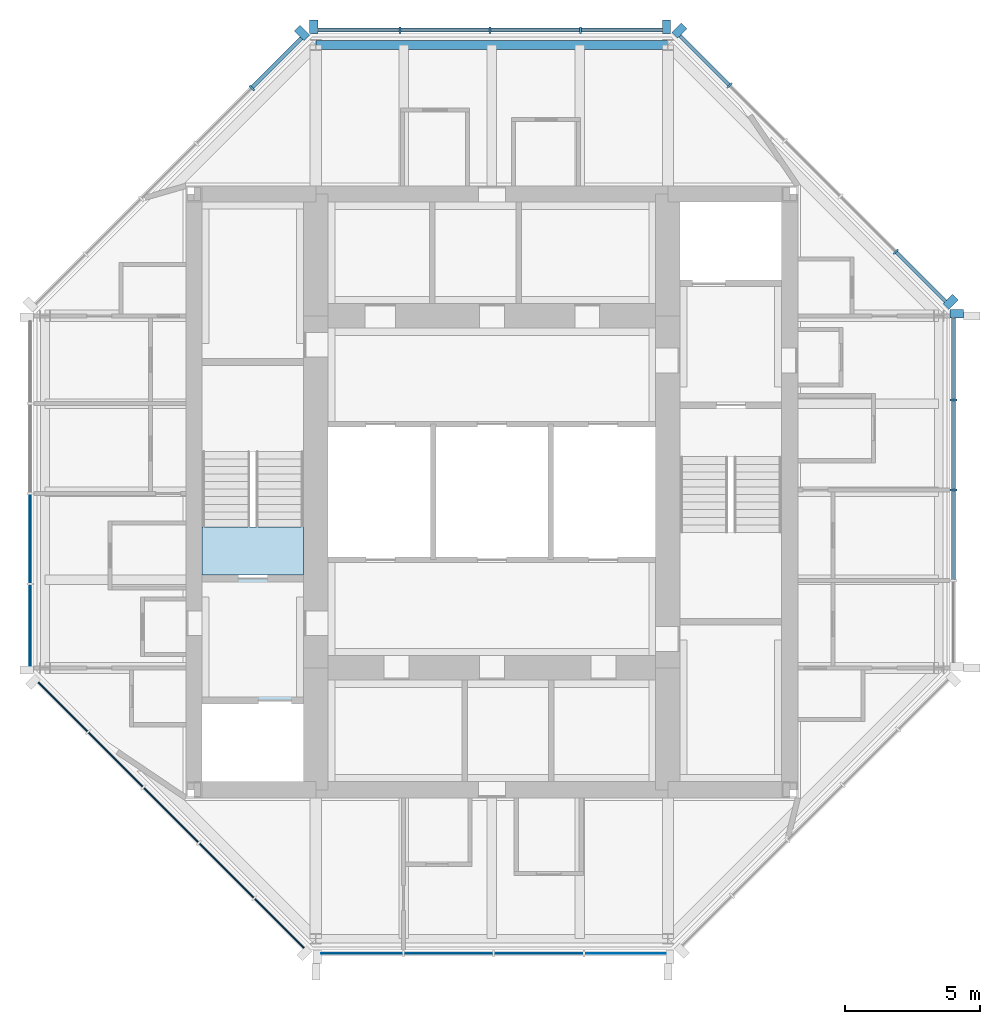
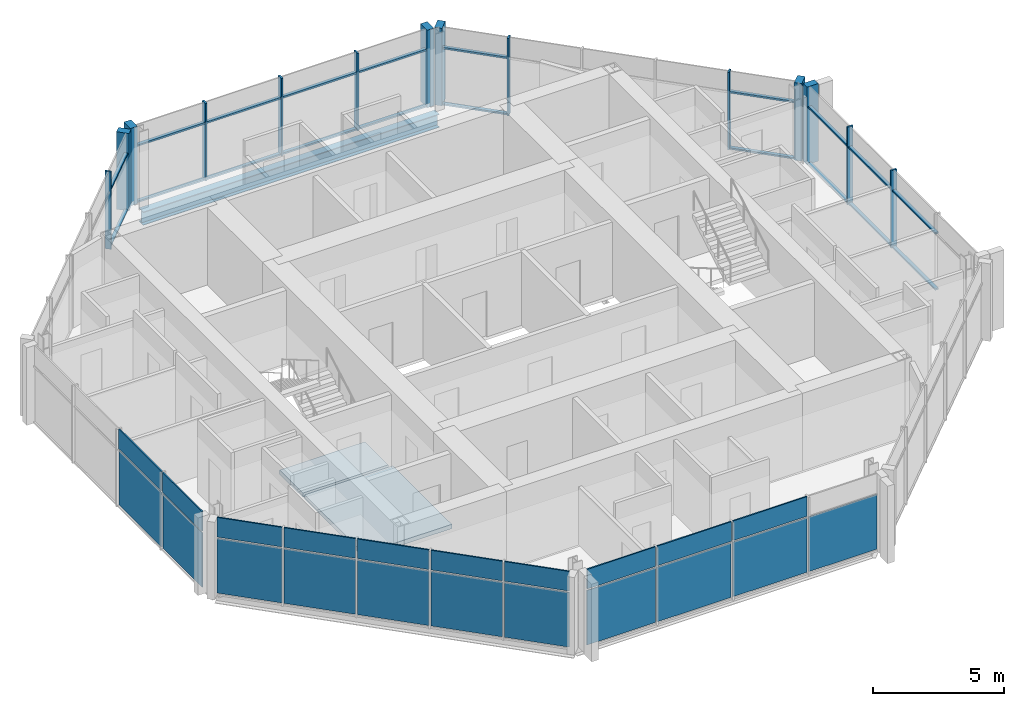
# One storey, part 3 of 9: 34 members, 21 plates, 2 slabs, 1 beam, 8 elements without a shape of their own.
"""IFC4 building model written with IfcOpenShell, lengths in metres."""

from ifc_helpers import new_model, si_unit, direction, frame, origin, origin_2d, place, context, subcontext, project, spatial, polyline, rectangle, i_section, outline, extrude, material, layer, layer_set, material_profile, profile_set, type_object, element, aggregate, save


model = new_model("IFC4")

# Units and contexts
model_context = context("Model", 3, precision=1e-05, world=origin(), true_north=direction((0.0, 1.0)))
body_context = subcontext(model_context, "Body", "Model", "MODEL_VIEW")
ifc_project = project(units=[si_unit("LENGTHUNIT", "METRE"), si_unit("AREAUNIT", "SQUARE_METRE"), si_unit("VOLUMEUNIT", "CUBIC_METRE"), si_unit("PLANEANGLEUNIT", "RADIAN"), si_unit("MASSUNIT", "GRAM", prefix="KILO")], contexts=[model_context])

# Site, building, storey
site_placement = place(None, origin())
site = spatial("IfcSite", under=ifc_project, at=site_placement, CompositionType="ELEMENT")
building_placement = place(site_placement, origin())
building = spatial("IfcBuilding", under=site, at=building_placement, Name="Trevanion Tower", CompositionType="ELEMENT")
storey_placement = place(building_placement, frame((0.0, 0.0, 288.39990234375)))
storey = spatial("IfcBuildingStorey", under=building, at=storey_placement, Name="L71", CompositionType="ELEMENT", Elevation=288.39990234375)

# Curtain wall, members
ifc_material_1 = material(Name="Aluminium and glass", Category="aluminium")
curtain_wall_type = type_object("IfcCurtainWallType", Name="CW4 curtain wall", PredefinedType="USERDEFINED", material=ifc_material_1)
curtain_wall_1_placement = place(storey_placement, origin())
curtain_wall_1 = element("IfcCurtainWall", 1, at=curtain_wall_1_placement, inside=storey, type_object=curtain_wall_type, Name="CW4 L71 0", ObjectType="UNITISED CURTAIN WALL", PredefinedType="USERDEFINED")
ifc_material_2 = material(Name="Aluminium extrusion, anodised bronze", Category="aluminium")
ifc_material_profile_1 = material_profile(ifc_material_2, rectangle(XDim=0.074951171875, YDim=0.25, at=origin_2d()), Name="CW4 mullion")
ifc_profile_set_1 = profile_set([ifc_material_profile_1], Name="Aluminium extrusion, anodised bronze")
member_type_1 = type_object("IfcMemberType", Name="CW4 mullion", PredefinedType="MULLION", material=ifc_profile_set_1)
member_1_placement = place(storey_placement, frame((17.050048828125, 0.06494140625, -0.18994140625), z_axis=(0.0, 0.0, 1.0), x_axis=(0.0, 1.0, 0.0)))
member_1 = element("IfcMember", 2, at=member_1_placement, type_object=member_type_1, Name="CW4 mullion 3", PredefinedType="MULLION", context=body_context, shape_type="SweptSolid", body=[
    extrude(rectangle(XDim=0.074951171875, YDim=0.25, at=origin_2d()), origin(), (0.0, 0.0, 1.0), 3.60009765625),
])
member_2_placement = place(storey_placement, frame((17.050048828125, 3.396484375, -0.18994140625), z_axis=(0.0, 0.0, 1.0), x_axis=(0.0, 1.0, 0.0)))
member_2 = element("IfcMember", 3, at=member_2_placement, type_object=member_type_1, Name="CW4 mullion 4", PredefinedType="MULLION", context=body_context, shape_type="SweptSolid", body=[
    extrude(rectangle(XDim=0.074951171875, YDim=0.25, at=origin_2d()), origin(), (0.0, 0.0, 1.0), 3.60009765625),
])

curtain_wall_2_placement = place(storey_placement, origin())
curtain_wall_2 = element("IfcCurtainWall", 4, at=curtain_wall_2_placement, inside=storey, type_object=curtain_wall_type, Name="CW4 L71 1", ObjectType="UNITISED CURTAIN WALL", PredefinedType="USERDEFINED")
member_3_placement = place(storey_placement, frame((14.912109375, 8.86572265625, -0.18994140625), z_axis=(0.0, 0.0, 1.0), x_axis=(-0.707106781187, 0.707106781187, 0.0)))
member_3 = element("IfcMember", 5, at=member_3_placement, type_object=member_type_1, Name="CW4 mullion 2", PredefinedType="MULLION", context=body_context, shape_type="SweptSolid", body=[
    extrude(rectangle(XDim=0.074951171875, YDim=0.25, at=origin_2d()), origin(), (0.0, 0.0, 1.0), 3.60009765625),
])
member_4_placement = place(storey_placement, frame((8.77392578125, 15.00390625, -0.18994140625), z_axis=(0.0, 0.0, 1.0), x_axis=(-0.707106781187, 0.707106781187, 0.0)))
member_4 = element("IfcMember", 6, at=member_4_placement, type_object=member_type_1, Name="CW4 mullion 5", PredefinedType="MULLION", context=body_context, shape_type="SweptSolid", body=[
    extrude(rectangle(XDim=0.074951171875, YDim=0.25, at=origin_2d()), origin(), (0.0, 0.0, 1.0), 3.60009765625),
])

curtain_wall_3_placement = place(storey_placement, origin())
curtain_wall_3 = element("IfcCurtainWall", 7, at=curtain_wall_3_placement, inside=storey, type_object=curtain_wall_type, Name="CW4 L71 2", ObjectType="UNITISED CURTAIN WALL", PredefinedType="USERDEFINED")
member_5_placement = place(storey_placement, frame((3.266357421875, 17.050048828125, -0.18994140625), z_axis=(0.0, 0.0, 1.0), x_axis=(-1.0, 0.0, 0.0)))
member_5 = element("IfcMember", 8, at=member_5_placement, type_object=member_type_1, Name="CW4 mullion 2", PredefinedType="MULLION", context=body_context, shape_type="SweptSolid", body=[
    extrude(rectangle(XDim=0.074951171875, YDim=0.25, at=origin_2d()), origin(), (0.0, 0.0, 1.0), 3.60009765625),
])
member_6_placement = place(storey_placement, frame((-0.06494140625, 17.050048828125, -0.18994140625), z_axis=(0.0, 0.0, 1.0), x_axis=(-1.0, 0.0, 0.0)))
member_6 = element("IfcMember", 9, at=member_6_placement, type_object=member_type_1, Name="CW4 mullion 3", PredefinedType="MULLION", context=body_context, shape_type="SweptSolid", body=[
    extrude(rectangle(XDim=0.074951171875, YDim=0.25, at=origin_2d()), origin(), (0.0, 0.0, 1.0), 3.60009765625),
])
member_7_placement = place(storey_placement, frame((-3.396484375, 17.050048828125, -0.18994140625), z_axis=(0.0, 0.0, 1.0), x_axis=(-1.0, 0.0, 0.0)))
member_7 = element("IfcMember", 10, at=member_7_placement, type_object=member_type_1, Name="CW4 mullion 4", PredefinedType="MULLION", context=body_context, shape_type="SweptSolid", body=[
    extrude(rectangle(XDim=0.074951171875, YDim=0.25, at=origin_2d()), origin(), (0.0, 0.0, 1.0), 3.60009765625),
])

# Curtain wall, member
curtain_wall_4_placement = place(storey_placement, origin())
curtain_wall_4 = element("IfcCurtainWall", 11, at=curtain_wall_4_placement, inside=storey, type_object=curtain_wall_type, Name="CW4 L71 3", ObjectType="UNITISED CURTAIN WALL", PredefinedType="USERDEFINED")
member_8_placement = place(storey_placement, frame((-8.86572265625, 14.912109375, -0.18994140625), z_axis=(0.0, 0.0, 1.0), x_axis=(-0.707106781187, -0.707106781187, 0.0)))
member_8 = element("IfcMember", 12, at=member_8_placement, type_object=member_type_1, Name="CW4 mullion 2", PredefinedType="MULLION", context=body_context, shape_type="SweptSolid", body=[
    extrude(rectangle(XDim=0.074951171875, YDim=0.25, at=origin_2d()), origin(), (0.0, 0.0, 1.0), 3.60009765625),
])

# Member
ifc_material_3 = material(Name="Aluminium extrusion, anodised bronze", Category="aluminium")
ifc_material_profile_2 = material_profile(ifc_material_3, rectangle(XDim=0.300048828125, YDim=0.5, at=origin_2d()), Name="CW4 pier mullion")
ifc_profile_set_2 = profile_set([ifc_material_profile_2], Name="Aluminium extrusion, anodised bronze")
member_type_2 = type_object("IfcMemberType", Name="CW4 pier mullion", PredefinedType="MULLION", material=ifc_profile_set_2)
member_9_placement = place(storey_placement, frame((17.175048828125, 6.577880859375, -0.18994140625), z_axis=(0.0, 0.0, 1.0), x_axis=(0.0, 1.0, 0.0)))
member_9 = element("IfcMember", 13, at=member_9_placement, type_object=member_type_2, Name="CW4 pier mullion 5", PredefinedType="MULLION", context=body_context, shape_type="SweptSolid", body=[
    extrude(rectangle(XDim=0.300048828125, YDim=0.5, at=origin_2d()), origin(), (0.0, 0.0, 1.0), 3.60009765625),
])

member_10_placement = place(storey_placement, frame((16.9404296875, 7.01416015625, -0.18994140625), z_axis=(0.0, 0.0, 1.0), x_axis=(-0.707106781187, 0.707106781187, 0.0)))
member_10 = element("IfcMember", 14, at=member_10_placement, type_object=member_type_2, Name="CW4 pier mullion 1", PredefinedType="MULLION", context=body_context, shape_type="SweptSolid", body=[
    extrude(rectangle(XDim=0.300048828125, YDim=0.5, at=origin_2d()), origin(), (0.0, 0.0, 1.0), 3.60009765625),
])

member_11_placement = place(storey_placement, frame((6.92236328125, 17.0322265625, -0.18994140625), z_axis=(0.0, 0.0, 1.0), x_axis=(-0.707106781187, 0.707106781187, 0.0)))
member_11 = element("IfcMember", 15, at=member_11_placement, type_object=member_type_2, Name="CW4 pier mullion 6", PredefinedType="MULLION", context=body_context, shape_type="SweptSolid", body=[
    extrude(rectangle(XDim=0.300048828125, YDim=0.5, at=origin_2d()), origin(), (0.0, 0.0, 1.0), 3.60009765625),
])

member_12_placement = place(storey_placement, frame((6.44775390625, 17.175048828125, -0.18994140625), z_axis=(0.0, 0.0, 1.0), x_axis=(-1.0, 0.0, 0.0)))
member_12 = element("IfcMember", 16, at=member_12_placement, type_object=member_type_2, Name="CW4 pier mullion 1", PredefinedType="MULLION", context=body_context, shape_type="SweptSolid", body=[
    extrude(rectangle(XDim=0.300048828125, YDim=0.5, at=origin_2d()), origin(), (0.0, 0.0, 1.0), 3.60009765625),
])

member_13_placement = place(storey_placement, frame((-6.577880859375, 17.175048828125, -0.18994140625), z_axis=(0.0, 0.0, 1.0), x_axis=(-1.0, 0.0, 0.0)))
member_13 = element("IfcMember", 17, at=member_13_placement, type_object=member_type_2, Name="CW4 pier mullion 5", PredefinedType="MULLION", context=body_context, shape_type="SweptSolid", body=[
    extrude(rectangle(XDim=0.300048828125, YDim=0.5, at=origin_2d()), origin(), (0.0, 0.0, 1.0), 3.60009765625),
])

member_14_placement = place(storey_placement, frame((-7.01416015625, 16.9404296875, -0.18994140625), z_axis=(0.0, 0.0, 1.0), x_axis=(-0.707106781187, -0.707106781187, 0.0)))
member_14 = element("IfcMember", 18, at=member_14_placement, type_object=member_type_2, Name="CW4 pier mullion 1", PredefinedType="MULLION", context=body_context, shape_type="SweptSolid", body=[
    extrude(rectangle(XDim=0.300048828125, YDim=0.5, at=origin_2d()), origin(), (0.0, 0.0, 1.0), 3.60009765625),
])

ifc_material_4 = material(Name="Aluminium extrusion, anodised bronze", Category="aluminium")
ifc_material_profile_3 = material_profile(ifc_material_4, rectangle(XDim=0.14990234375, YDim=0.074951171875, at=origin_2d()), Name="CW4 transom")
ifc_profile_set_3 = profile_set([ifc_material_profile_3], Name="Aluminium extrusion, anodised bronze")
member_type_3 = type_object("IfcMemberType", Name="CW4 transom", PredefinedType="USERDEFINED", material=ifc_profile_set_3)
member_15_placement = place(storey_placement, frame((17.050048828125, -3.22900390625, -0.15234375), z_axis=(0.0, 1.0, 0.0), x_axis=(-1.0, 0.0, 0.0)))
member_15 = element("IfcMember", 19, at=member_15_placement, type_object=member_type_3, Name="CW4 transom 2.1", ObjectType="TRANSOM", PredefinedType="USERDEFINED", context=body_context, shape_type="SweptSolid", body=[
    extrude(rectangle(XDim=0.14990234375, YDim=0.074951171875, at=origin_2d()), origin(), (0.0, 0.0, 1.0), 3.256591796875),
])

member_16_placement = place(storey_placement, frame((17.050048828125, -3.22900390625, 2.460205078125), z_axis=(0.0, 1.0, 0.0), x_axis=(-1.0, 0.0, 0.0)))
member_16 = element("IfcMember", 20, at=member_16_placement, type_object=member_type_3, Name="CW4 transom 2.2", ObjectType="TRANSOM", PredefinedType="USERDEFINED", context=body_context, shape_type="SweptSolid", body=[
    extrude(rectangle(XDim=0.14990234375, YDim=0.074951171875, at=origin_2d()), origin(), (0.0, 0.0, 1.0), 3.256591796875),
])

member_17_placement = place(storey_placement, frame((17.050048828125, 0.1025390625, -0.15234375), z_axis=(0.0, 1.0, 0.0), x_axis=(-1.0, 0.0, 0.0)))
member_17 = element("IfcMember", 21, at=member_17_placement, type_object=member_type_3, Name="CW4 transom 3.1", ObjectType="TRANSOM", PredefinedType="USERDEFINED", context=body_context, shape_type="SweptSolid", body=[
    extrude(rectangle(XDim=0.14990234375, YDim=0.074951171875, at=origin_2d()), origin(), (0.0, 0.0, 1.0), 3.25634765625),
])

member_18_placement = place(storey_placement, frame((17.050048828125, 0.1025390625, 2.460205078125), z_axis=(0.0, 1.0, 0.0), x_axis=(-1.0, 0.0, 0.0)))
member_18 = element("IfcMember", 22, at=member_18_placement, type_object=member_type_3, Name="CW4 transom 3.2", ObjectType="TRANSOM", PredefinedType="USERDEFINED", context=body_context, shape_type="SweptSolid", body=[
    extrude(rectangle(XDim=0.14990234375, YDim=0.074951171875, at=origin_2d()), origin(), (0.0, 0.0, 1.0), 3.25634765625),
])

member_19_placement = place(storey_placement, frame((17.050048828125, 3.433837890625, -0.15234375), z_axis=(0.0, 1.0, 0.0), x_axis=(-1.0, 0.0, 0.0)))
member_19 = element("IfcMember", 23, at=member_19_placement, type_object=member_type_3, Name="CW4 transom 4.1", ObjectType="TRANSOM", PredefinedType="USERDEFINED", context=body_context, shape_type="SweptSolid", body=[
    extrude(rectangle(XDim=0.14990234375, YDim=0.074951171875, at=origin_2d()), origin(), (0.0, 0.0, 1.0), 2.993896484375),
])

member_20_placement = place(storey_placement, frame((17.050048828125, 3.433837890625, 2.460205078125), z_axis=(0.0, 1.0, 0.0), x_axis=(-1.0, 0.0, 0.0)))
member_20 = element("IfcMember", 24, at=member_20_placement, type_object=member_type_3, Name="CW4 transom 4.2", ObjectType="TRANSOM", PredefinedType="USERDEFINED", context=body_context, shape_type="SweptSolid", body=[
    extrude(rectangle(XDim=0.14990234375, YDim=0.074951171875, at=origin_2d()), origin(), (0.0, 0.0, 1.0), 2.993896484375),
])

aggregate(curtain_wall_1, [member_1, member_2, member_9, member_15, member_16, member_17, member_18, member_19, member_20])

member_21_placement = place(storey_placement, frame((16.745849609375, 7.031982421875, -0.15234375), z_axis=(-0.707106781187, 0.707106781187, 0.0), x_axis=(-0.707106781187, -0.707106781187, 0.0)))
member_21 = element("IfcMember", 25, at=member_21_placement, type_object=member_type_3, Name="CW4 transom 1.1", ObjectType="TRANSOM", PredefinedType="USERDEFINED", context=body_context, shape_type="SweptSolid", body=[
    extrude(rectangle(XDim=0.14990234375, YDim=0.074951171875, at=origin_2d()), origin(), (0.0, 0.0, 1.0), 2.555908203125),
])

member_22_placement = place(storey_placement, frame((16.745849609375, 7.031982421875, 2.460205078125), z_axis=(-0.707106781187, 0.707106781187, 0.0), x_axis=(-0.707106781187, -0.707106781187, 0.0)))
member_22 = element("IfcMember", 26, at=member_22_placement, type_object=member_type_3, Name="CW4 transom 1.2", ObjectType="TRANSOM", PredefinedType="USERDEFINED", context=body_context, shape_type="SweptSolid", body=[
    extrude(rectangle(XDim=0.14990234375, YDim=0.074951171875, at=origin_2d()), origin(), (0.0, 0.0, 1.0), 2.555908203125),
])

member_23_placement = place(storey_placement, frame((8.747314453125, 15.030517578125, -0.15234375), z_axis=(-0.707106781187, 0.707106781187, 0.0), x_axis=(-0.707106781187, -0.707106781187, 0.0)))
member_23 = element("IfcMember", 27, at=member_23_placement, type_object=member_type_3, Name="CW4 transom 5.1", ObjectType="TRANSOM", PredefinedType="USERDEFINED", context=body_context, shape_type="SweptSolid", body=[
    extrude(rectangle(XDim=0.14990234375, YDim=0.074951171875, at=origin_2d()), origin(), (0.0, 0.0, 1.0), 2.555908203125),
])

member_24_placement = place(storey_placement, frame((8.747314453125, 15.030517578125, 2.460205078125), z_axis=(-0.707106781187, 0.707106781187, 0.0), x_axis=(-0.707106781187, -0.707106781187, 0.0)))
member_24 = element("IfcMember", 28, at=member_24_placement, type_object=member_type_3, Name="CW4 transom 5.2", ObjectType="TRANSOM", PredefinedType="USERDEFINED", context=body_context, shape_type="SweptSolid", body=[
    extrude(rectangle(XDim=0.14990234375, YDim=0.074951171875, at=origin_2d()), origin(), (0.0, 0.0, 1.0), 2.555908203125),
])

aggregate(curtain_wall_2, [member_10, member_3, member_4, member_11, member_21, member_22, member_23, member_24])

member_25_placement = place(storey_placement, frame((6.2978515625, 17.050048828125, -0.15234375), z_axis=(-1.0, 0.0, 0.0), x_axis=(0.0, -1.0, 0.0)))
member_25 = element("IfcMember", 29, at=member_25_placement, type_object=member_type_3, Name="CW4 transom 1.1", ObjectType="TRANSOM", PredefinedType="USERDEFINED", context=body_context, shape_type="SweptSolid", body=[
    extrude(rectangle(XDim=0.14990234375, YDim=0.074951171875, at=origin_2d()), origin(), (0.0, 0.0, 1.0), 2.993896484375),
])

member_26_placement = place(storey_placement, frame((6.2978515625, 17.050048828125, 2.460205078125), z_axis=(-1.0, 0.0, 0.0), x_axis=(0.0, -1.0, 0.0)))
member_26 = element("IfcMember", 30, at=member_26_placement, type_object=member_type_3, Name="CW4 transom 1.2", ObjectType="TRANSOM", PredefinedType="USERDEFINED", context=body_context, shape_type="SweptSolid", body=[
    extrude(rectangle(XDim=0.14990234375, YDim=0.074951171875, at=origin_2d()), origin(), (0.0, 0.0, 1.0), 2.993896484375),
])

member_27_placement = place(storey_placement, frame((3.22900390625, 17.050048828125, -0.15234375), z_axis=(-1.0, 0.0, 0.0), x_axis=(0.0, -1.0, 0.0)))
member_27 = element("IfcMember", 31, at=member_27_placement, type_object=member_type_3, Name="CW4 transom 2.1", ObjectType="TRANSOM", PredefinedType="USERDEFINED", context=body_context, shape_type="SweptSolid", body=[
    extrude(rectangle(XDim=0.14990234375, YDim=0.074951171875, at=origin_2d()), origin(), (0.0, 0.0, 1.0), 3.256591796875),
])

member_28_placement = place(storey_placement, frame((3.22900390625, 17.050048828125, 2.460205078125), z_axis=(-1.0, 0.0, 0.0), x_axis=(0.0, -1.0, 0.0)))
member_28 = element("IfcMember", 32, at=member_28_placement, type_object=member_type_3, Name="CW4 transom 2.2", ObjectType="TRANSOM", PredefinedType="USERDEFINED", context=body_context, shape_type="SweptSolid", body=[
    extrude(rectangle(XDim=0.14990234375, YDim=0.074951171875, at=origin_2d()), origin(), (0.0, 0.0, 1.0), 3.256591796875),
])

member_29_placement = place(storey_placement, frame((-0.1025390625, 17.050048828125, -0.15234375), z_axis=(-1.0, 0.0, 0.0), x_axis=(0.0, -1.0, 0.0)))
member_29 = element("IfcMember", 33, at=member_29_placement, type_object=member_type_3, Name="CW4 transom 3.1", ObjectType="TRANSOM", PredefinedType="USERDEFINED", context=body_context, shape_type="SweptSolid", body=[
    extrude(rectangle(XDim=0.14990234375, YDim=0.074951171875, at=origin_2d()), origin(), (0.0, 0.0, 1.0), 3.25634765625),
])

member_30_placement = place(storey_placement, frame((-0.1025390625, 17.050048828125, 2.460205078125), z_axis=(-1.0, 0.0, 0.0), x_axis=(0.0, -1.0, 0.0)))
member_30 = element("IfcMember", 34, at=member_30_placement, type_object=member_type_3, Name="CW4 transom 3.2", ObjectType="TRANSOM", PredefinedType="USERDEFINED", context=body_context, shape_type="SweptSolid", body=[
    extrude(rectangle(XDim=0.14990234375, YDim=0.074951171875, at=origin_2d()), origin(), (0.0, 0.0, 1.0), 3.25634765625),
])

member_31_placement = place(storey_placement, frame((-3.433837890625, 17.050048828125, -0.15234375), z_axis=(-1.0, 0.0, 0.0), x_axis=(0.0, -1.0, 0.0)))
member_31 = element("IfcMember", 35, at=member_31_placement, type_object=member_type_3, Name="CW4 transom 4.1", ObjectType="TRANSOM", PredefinedType="USERDEFINED", context=body_context, shape_type="SweptSolid", body=[
    extrude(rectangle(XDim=0.14990234375, YDim=0.074951171875, at=origin_2d()), origin(), (0.0, 0.0, 1.0), 2.993896484375),
])

member_32_placement = place(storey_placement, frame((-3.433837890625, 17.050048828125, 2.460205078125), z_axis=(-1.0, 0.0, 0.0), x_axis=(0.0, -1.0, 0.0)))
member_32 = element("IfcMember", 36, at=member_32_placement, type_object=member_type_3, Name="CW4 transom 4.2", ObjectType="TRANSOM", PredefinedType="USERDEFINED", context=body_context, shape_type="SweptSolid", body=[
    extrude(rectangle(XDim=0.14990234375, YDim=0.074951171875, at=origin_2d()), origin(), (0.0, 0.0, 1.0), 2.993896484375),
])

aggregate(curtain_wall_3, [member_12, member_5, member_6, member_7, member_13, member_25, member_26, member_27, member_28, member_29, member_30, member_31, member_32])

member_33_placement = place(storey_placement, frame((-7.031982421875, 16.745849609375, -0.15234375), z_axis=(-0.707106781187, -0.707106781187, 0.0), x_axis=(0.707106781187, -0.707106781187, 0.0)))
member_33 = element("IfcMember", 37, at=member_33_placement, type_object=member_type_3, Name="CW4 transom 1.1", ObjectType="TRANSOM", PredefinedType="USERDEFINED", context=body_context, shape_type="SweptSolid", body=[
    extrude(rectangle(XDim=0.14990234375, YDim=0.074951171875, at=origin_2d()), origin(), (0.0, 0.0, 1.0), 2.555908203125),
])

member_34_placement = place(storey_placement, frame((-7.031982421875, 16.745849609375, 2.460205078125), z_axis=(-0.707106781187, -0.707106781187, 0.0), x_axis=(0.707106781187, -0.707106781187, 0.0)))
member_34 = element("IfcMember", 38, at=member_34_placement, type_object=member_type_3, Name="CW4 transom 1.2", ObjectType="TRANSOM", PredefinedType="USERDEFINED", context=body_context, shape_type="SweptSolid", body=[
    extrude(rectangle(XDim=0.14990234375, YDim=0.074951171875, at=origin_2d()), origin(), (0.0, 0.0, 1.0), 2.555908203125),
])

aggregate(curtain_wall_4, [member_14, member_8, member_33, member_34])

# Beam
ifc_material_5 = material(Name="Steel ASTM A992 Grade 50", Category="steel")
ifc_material_profile_4 = material_profile(ifc_material_5, i_section(OverallWidth=0.32763671875, OverallDepth=0.622314453125, WebThickness=0.015380859375, FlangeThickness=0.0244140625, at=origin_2d()), Name="W24X131")
ifc_profile_set_4 = profile_set([ifc_material_profile_4], Name="Steel ASTM A992 Grade 50")
beam_type = type_object("IfcBeamType", Name="SB12 W24X131", PredefinedType="SPANDREL", material=ifc_profile_set_4)
beam_placement = place(storey_placement, frame((6.5, 16.5, -0.501220703125), z_axis=(-1.0, 0.0, 0.0), x_axis=(0.0, -1.0, 0.0)))
element("IfcBeam", 39, at=beam_placement, inside=storey, type_object=beam_type, Name="SB12 L71", PredefinedType="SPANDREL", context=body_context, shape_type="SweptSolid", body=[
    extrude(i_section(OverallWidth=0.32763671875, OverallDepth=0.622314453125, WebThickness=0.015380859375, FlangeThickness=0.0244140625, at=origin_2d()), origin(), (0.0, 0.0, 1.0), 13.0),
])

# Curtain wall, plates
curtain_wall_5_placement = place(storey_placement, origin())
curtain_wall_5 = element("IfcCurtainWall", 40, at=curtain_wall_5_placement, inside=storey, type_object=curtain_wall_type, Name="CW4 L71 4", ObjectType="UNITISED CURTAIN WALL", PredefinedType="USERDEFINED")
ifc_material_6 = material(Name="Aluminium spandrel panel", Category="aluminium")
ifc_layer_1 = layer(ifc_material_6, 0.06005859375)
ifc_layer_set_1 = layer_set([ifc_layer_1], Name="CW4 spandrel panel")
plate_type_1 = type_object("IfcPlateType", Name="CW4 spandrel panel", PredefinedType="CURTAIN_PANEL", material=ifc_layer_set_1)
plate_1_placement = place(storey_placement, frame((-17.050048828125, -1.730712890625, 2.49755859375), z_axis=(0.0, 0.0, 1.0), x_axis=(0.0, -1.0, 0.0)))
plate_1 = element("IfcPlate", 41, at=plate_1_placement, type_object=plate_type_1, Name="CW4 panel 3.2", PredefinedType="CURTAIN_PANEL", context=body_context, shape_type="SweptSolid", body=[
    extrude(rectangle(XDim=3.25634765625, YDim=0.06005859375, at=origin_2d()), origin(), (0.0, 0.0, 1.0), 0.91259765625),
])
plate_2_placement = place(storey_placement, frame((-17.050048828125, -4.930908203125, 2.49755859375), z_axis=(0.0, 0.0, 1.0), x_axis=(0.0, -1.0, 0.0)))
plate_2 = element("IfcPlate", 42, at=plate_2_placement, type_object=plate_type_1, Name="CW4 panel 4.2", PredefinedType="CURTAIN_PANEL", context=body_context, shape_type="SweptSolid", body=[
    extrude(rectangle(XDim=2.993896484375, YDim=0.06005859375, at=origin_2d()), origin(), (0.0, 0.0, 1.0), 0.91259765625),
])

curtain_wall_6_placement = place(storey_placement, origin())
curtain_wall_6 = element("IfcCurtainWall", 43, at=curtain_wall_6_placement, inside=storey, type_object=curtain_wall_type, Name="CW4 L71 5", ObjectType="UNITISED CURTAIN WALL", PredefinedType="USERDEFINED")
plate_3_placement = place(storey_placement, frame((-15.84228515625, -7.935546875, 2.49755859375), z_axis=(0.0, 0.0, 1.0), x_axis=(0.707106781187, -0.707106781187, 0.0)))
plate_3 = element("IfcPlate", 44, at=plate_3_placement, type_object=plate_type_1, Name="CW4 panel 1.2", PredefinedType="CURTAIN_PANEL", context=body_context, shape_type="SweptSolid", body=[
    extrude(rectangle(XDim=2.55615234375, YDim=0.06005859375, at=origin_2d()), origin(), (0.0, 0.0, 1.0), 0.91259765625),
])
plate_4_placement = place(storey_placement, frame((-13.888916015625, -9.888916015625, 2.49755859375), z_axis=(0.0, 0.0, 1.0), x_axis=(0.707106781187, -0.707106781187, 0.0)))
plate_4 = element("IfcPlate", 45, at=plate_4_placement, type_object=plate_type_1, Name="CW4 panel 2.2", PredefinedType="CURTAIN_PANEL", context=body_context, shape_type="SweptSolid", body=[
    extrude(rectangle(XDim=2.818603515625, YDim=0.06005859375, at=origin_2d()), origin(), (0.0, 0.0, 1.0), 0.91259765625),
])
plate_5_placement = place(storey_placement, frame((-11.843017578125, -11.934814453125, 2.49755859375), z_axis=(0.0, 0.0, 1.0), x_axis=(0.707106781187, -0.707106781187, 0.0)))
plate_5 = element("IfcPlate", 46, at=plate_5_placement, type_object=plate_type_1, Name="CW4 panel 3.2", PredefinedType="CURTAIN_PANEL", context=body_context, shape_type="SweptSolid", body=[
    extrude(rectangle(XDim=2.818603515625, YDim=0.06005859375, at=origin_2d()), origin(), (0.0, 0.0, 1.0), 0.91259765625),
])
plate_6_placement = place(storey_placement, frame((-9.796875, -13.98095703125, 2.49755859375), z_axis=(0.0, 0.0, 1.0), x_axis=(0.707106781187, -0.707106781187, 0.0)))
plate_6 = element("IfcPlate", 47, at=plate_6_placement, type_object=plate_type_1, Name="CW4 panel 4.2", PredefinedType="CURTAIN_PANEL", context=body_context, shape_type="SweptSolid", body=[
    extrude(rectangle(XDim=2.818603515625, YDim=0.06005859375, at=origin_2d()), origin(), (0.0, 0.0, 1.0), 0.91259765625),
])
plate_7_placement = place(storey_placement, frame((-7.84375, -15.93408203125, 2.49755859375), z_axis=(0.0, 0.0, 1.0), x_axis=(0.707106781187, -0.707106781187, 0.0)))
plate_7 = element("IfcPlate", 48, at=plate_7_placement, type_object=plate_type_1, Name="CW4 panel 5.2", PredefinedType="CURTAIN_PANEL", context=body_context, shape_type="SweptSolid", body=[
    extrude(rectangle(XDim=2.55615234375, YDim=0.06005859375, at=origin_2d()), origin(), (0.0, 0.0, 1.0), 0.91259765625),
])

curtain_wall_7_placement = place(storey_placement, origin())
curtain_wall_7 = element("IfcCurtainWall", 49, at=curtain_wall_7_placement, inside=storey, type_object=curtain_wall_type, Name="CW4 L71 6", ObjectType="UNITISED CURTAIN WALL", PredefinedType="USERDEFINED")
plate_8_placement = place(storey_placement, frame((-4.80078125, -17.050048828125, 2.49755859375), z_axis=(0.0, 0.0, 1.0), x_axis=(1.0, 0.0, 0.0)))
plate_8 = element("IfcPlate", 50, at=plate_8_placement, type_object=plate_type_1, Name="CW4 panel 1.2", PredefinedType="CURTAIN_PANEL", context=body_context, shape_type="SweptSolid", body=[
    extrude(rectangle(XDim=2.993896484375, YDim=0.06005859375, at=origin_2d()), origin(), (0.0, 0.0, 1.0), 0.91259765625),
])
plate_9_placement = place(storey_placement, frame((-1.6005859375, -17.050048828125, 2.49755859375), z_axis=(0.0, 0.0, 1.0), x_axis=(1.0, 0.0, 0.0)))
plate_9 = element("IfcPlate", 51, at=plate_9_placement, type_object=plate_type_1, Name="CW4 panel 2.2", PredefinedType="CURTAIN_PANEL", context=body_context, shape_type="SweptSolid", body=[
    extrude(rectangle(XDim=3.25634765625, YDim=0.06005859375, at=origin_2d()), origin(), (0.0, 0.0, 1.0), 0.91259765625),
])
plate_10_placement = place(storey_placement, frame((1.730712890625, -17.050048828125, 2.49755859375), z_axis=(0.0, 0.0, 1.0), x_axis=(1.0, 0.0, 0.0)))
plate_10 = element("IfcPlate", 52, at=plate_10_placement, type_object=plate_type_1, Name="CW4 panel 3.2", PredefinedType="CURTAIN_PANEL", context=body_context, shape_type="SweptSolid", body=[
    extrude(rectangle(XDim=3.25634765625, YDim=0.06005859375, at=origin_2d()), origin(), (0.0, 0.0, 1.0), 0.91259765625),
])

# Plate
ifc_material_7 = material(Name="Insulating glass unit", Category="glass")
ifc_layer_2 = layer(ifc_material_7, 0.028076171875)
ifc_layer_set_2 = layer_set([ifc_layer_2], Name="CW4 vision panel")
plate_type_2 = type_object("IfcPlateType", Name="CW4 vision panel", PredefinedType="CURTAIN_PANEL", material=ifc_layer_set_2)
plate_11_placement = place(storey_placement, frame((-17.050048828125, -1.730712890625, -0.114990234375), z_axis=(0.0, 0.0, 1.0), x_axis=(0.0, -1.0, 0.0)))
plate_11 = element("IfcPlate", 53, at=plate_11_placement, type_object=plate_type_2, Name="CW4 panel 3.1", PredefinedType="CURTAIN_PANEL", context=body_context, shape_type="SweptSolid", body=[
    extrude(rectangle(XDim=3.25634765625, YDim=0.028076171875, at=origin_2d()), origin(), (0.0, 0.0, 1.0), 2.53759765625),
])

plate_12_placement = place(storey_placement, frame((-17.050048828125, -4.930908203125, -0.114990234375), z_axis=(0.0, 0.0, 1.0), x_axis=(0.0, -1.0, 0.0)))
plate_12 = element("IfcPlate", 54, at=plate_12_placement, type_object=plate_type_2, Name="CW4 panel 4.1", PredefinedType="CURTAIN_PANEL", context=body_context, shape_type="SweptSolid", body=[
    extrude(rectangle(XDim=2.993896484375, YDim=0.028076171875, at=origin_2d()), origin(), (0.0, 0.0, 1.0), 2.53759765625),
])

aggregate(curtain_wall_5, [plate_11, plate_1, plate_12, plate_2])

plate_13_placement = place(storey_placement, frame((-15.84228515625, -7.935546875, -0.114990234375), z_axis=(0.0, 0.0, 1.0), x_axis=(0.707106781187, -0.707106781187, 0.0)))
plate_13 = element("IfcPlate", 55, at=plate_13_placement, type_object=plate_type_2, Name="CW4 panel 1.1", PredefinedType="CURTAIN_PANEL", context=body_context, shape_type="SweptSolid", body=[
    extrude(rectangle(XDim=2.55615234375, YDim=0.028076171875, at=origin_2d()), origin(), (0.0, 0.0, 1.0), 2.53759765625),
])

plate_14_placement = place(storey_placement, frame((-13.888916015625, -9.888916015625, -0.114990234375), z_axis=(0.0, 0.0, 1.0), x_axis=(0.707106781187, -0.707106781187, 0.0)))
plate_14 = element("IfcPlate", 56, at=plate_14_placement, type_object=plate_type_2, Name="CW4 panel 2.1", PredefinedType="CURTAIN_PANEL", context=body_context, shape_type="SweptSolid", body=[
    extrude(rectangle(XDim=2.818603515625, YDim=0.028076171875, at=origin_2d()), origin(), (0.0, 0.0, 1.0), 2.53759765625),
])

plate_15_placement = place(storey_placement, frame((-11.843017578125, -11.934814453125, -0.114990234375), z_axis=(0.0, 0.0, 1.0), x_axis=(0.707106781187, -0.707106781187, 0.0)))
plate_15 = element("IfcPlate", 57, at=plate_15_placement, type_object=plate_type_2, Name="CW4 panel 3.1", PredefinedType="CURTAIN_PANEL", context=body_context, shape_type="SweptSolid", body=[
    extrude(rectangle(XDim=2.818603515625, YDim=0.028076171875, at=origin_2d()), origin(), (0.0, 0.0, 1.0), 2.53759765625),
])

plate_16_placement = place(storey_placement, frame((-9.796875, -13.98095703125, -0.114990234375), z_axis=(0.0, 0.0, 1.0), x_axis=(0.707106781187, -0.707106781187, 0.0)))
plate_16 = element("IfcPlate", 58, at=plate_16_placement, type_object=plate_type_2, Name="CW4 panel 4.1", PredefinedType="CURTAIN_PANEL", context=body_context, shape_type="SweptSolid", body=[
    extrude(rectangle(XDim=2.818603515625, YDim=0.028076171875, at=origin_2d()), origin(), (0.0, 0.0, 1.0), 2.53759765625),
])

plate_17_placement = place(storey_placement, frame((-7.84375, -15.93408203125, -0.114990234375), z_axis=(0.0, 0.0, 1.0), x_axis=(0.707106781187, -0.707106781187, 0.0)))
plate_17 = element("IfcPlate", 59, at=plate_17_placement, type_object=plate_type_2, Name="CW4 panel 5.1", PredefinedType="CURTAIN_PANEL", context=body_context, shape_type="SweptSolid", body=[
    extrude(rectangle(XDim=2.55615234375, YDim=0.028076171875, at=origin_2d()), origin(), (0.0, 0.0, 1.0), 2.53759765625),
])

aggregate(curtain_wall_6, [plate_13, plate_3, plate_14, plate_4, plate_15, plate_5, plate_16, plate_6, plate_17, plate_7])

plate_18_placement = place(storey_placement, frame((-4.80078125, -17.050048828125, -0.114990234375), z_axis=(0.0, 0.0, 1.0), x_axis=(1.0, 0.0, 0.0)))
plate_18 = element("IfcPlate", 60, at=plate_18_placement, type_object=plate_type_2, Name="CW4 panel 1.1", PredefinedType="CURTAIN_PANEL", context=body_context, shape_type="SweptSolid", body=[
    extrude(rectangle(XDim=2.993896484375, YDim=0.028076171875, at=origin_2d()), origin(), (0.0, 0.0, 1.0), 2.53759765625),
])

plate_19_placement = place(storey_placement, frame((-1.6005859375, -17.050048828125, -0.114990234375), z_axis=(0.0, 0.0, 1.0), x_axis=(1.0, 0.0, 0.0)))
plate_19 = element("IfcPlate", 61, at=plate_19_placement, type_object=plate_type_2, Name="CW4 panel 2.1", PredefinedType="CURTAIN_PANEL", context=body_context, shape_type="SweptSolid", body=[
    extrude(rectangle(XDim=3.25634765625, YDim=0.028076171875, at=origin_2d()), origin(), (0.0, 0.0, 1.0), 2.53759765625),
])

plate_20_placement = place(storey_placement, frame((1.730712890625, -17.050048828125, -0.114990234375), z_axis=(0.0, 0.0, 1.0), x_axis=(1.0, 0.0, 0.0)))
plate_20 = element("IfcPlate", 62, at=plate_20_placement, type_object=plate_type_2, Name="CW4 panel 3.1", PredefinedType="CURTAIN_PANEL", context=body_context, shape_type="SweptSolid", body=[
    extrude(rectangle(XDim=3.25634765625, YDim=0.028076171875, at=origin_2d()), origin(), (0.0, 0.0, 1.0), 2.53759765625),
])

plate_21_placement = place(storey_placement, frame((4.930908203125, -17.050048828125, -0.114990234375), z_axis=(0.0, 0.0, 1.0), x_axis=(1.0, 0.0, 0.0)))
plate_21 = element("IfcPlate", 63, at=plate_21_placement, type_object=plate_type_2, Name="CW4 panel 4.1", PredefinedType="CURTAIN_PANEL", context=body_context, shape_type="SweptSolid", body=[
    extrude(rectangle(XDim=2.993896484375, YDim=0.028076171875, at=origin_2d()), origin(), (0.0, 0.0, 1.0), 2.53759765625),
])

aggregate(curtain_wall_7, [plate_18, plate_8, plate_19, plate_9, plate_20, plate_10, plate_21])

# Slab
ifc_material_8 = material(Name="Concrete 5,000 psi", Category="concrete")
ifc_layer_3 = layer(ifc_material_8, 0.199951171875)
ifc_layer_set_3 = layer_set([ifc_layer_3], Name="SL2 core floor 200")
slab_type_1 = type_object("IfcSlabType", Name="SL2 core floor 200", PredefinedType="FLOOR", material=ifc_layer_set_3)
slab_1_placement = place(storey_placement, frame((0.0, 0.0, -0.199951171875)))
element("IfcSlab", 64, at=slab_1_placement, inside=storey, type_object=slab_type_1, Name="SL2 L71 core floor 3", PredefinedType="FLOOR", context=body_context, shape_type="SweptSolid", body=[
    extrude(outline(polyline([(-6.830078125, -3.205078125), (-6.830078125, -7.695068359375), (-10.699951171875, -7.695068359375), (-10.699951171875, -3.205078125), (-6.830078125, -3.205078125)])), origin(), (0.0, 0.0, 1.0), 0.199951171875),
])

# Stair, slab
ifc_material_9 = material(Name="Concrete 5,000 psi on steel stringers", Category="concrete")
stair_type = type_object("IfcStairType", Name="ST stair", PredefinedType="HALF_TURN_STAIR", material=ifc_material_9)
stair_placement = place(storey_placement, origin())
stair = element("IfcStair", 65, at=stair_placement, inside=storey, type_object=stair_type, Name="ST2 L71", PredefinedType="HALF_TURN_STAIR")
ifc_material_10 = material(Name="Concrete 5,000 psi in steel pan", Category="concrete")
ifc_layer_4 = layer(ifc_material_10, 0.199951171875)
ifc_layer_set_4 = layer_set([ifc_layer_4], Name="STL stair landing 200")
slab_type_2 = type_object("IfcSlabType", Name="STL stair landing 200", PredefinedType="LANDING", material=ifc_layer_set_4)
slab_2_placement = place(storey_placement, frame((0.0, 0.0, -0.199951171875)))
slab_2 = element("IfcSlab", 66, at=slab_2_placement, type_object=slab_type_2, Name="ST2 landing 1", PredefinedType="LANDING", context=body_context, shape_type="SweptSolid", body=[
    extrude(outline(polyline([(-6.949951171875, -1.300048828125), (-10.699951171875, -1.300048828125), (-10.699951171875, -3.074951171875), (-6.949951171875, -3.074951171875), (-6.949951171875, -1.300048828125)])), origin(), (0.0, 0.0, 1.0), 0.199951171875),
])
aggregate(stair, [slab_2])

save(model, "model.ifc")
